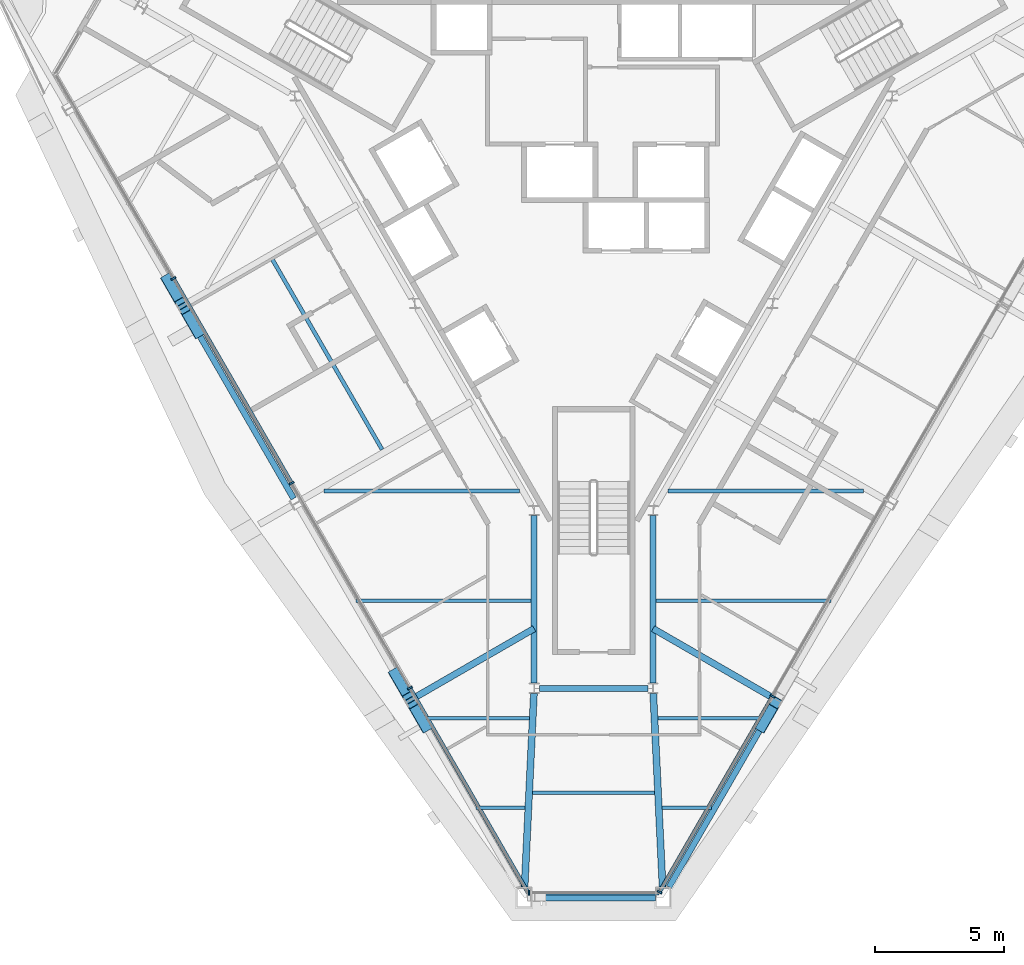
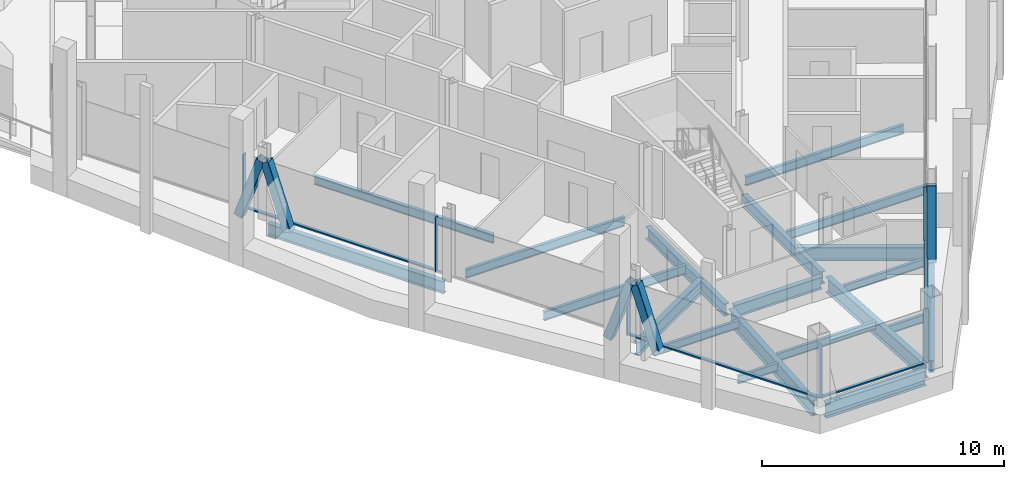
# One storey, part 3 of 14: 20 beams, 15 members, 3 elements without a shape of their own.
"""IFC4 building model written with IfcOpenShell, lengths in metres."""

from ifc_helpers import new_model, si_unit, direction, frame, origin, origin_2d, place, context, subcontext, project, spatial, rectangle, hollow_rectangle, i_section, extrude, material, material_profile, profile_set, type_object, element, aggregate, save


model = new_model("IFC4")

# Units and contexts
model_context = context("Model", 3, precision=1e-05, world=origin(), true_north=direction((0.0, 1.0)))
body_context = subcontext(model_context, "Body", "Model", "MODEL_VIEW")
ifc_project = project(units=[si_unit("LENGTHUNIT", "METRE"), si_unit("AREAUNIT", "SQUARE_METRE"), si_unit("VOLUMEUNIT", "CUBIC_METRE"), si_unit("PLANEANGLEUNIT", "RADIAN"), si_unit("MASSUNIT", "GRAM", prefix="KILO")], contexts=[model_context])

# Site, building, storey
site_placement = place(None, origin())
site = spatial("IfcSite", under=ifc_project, at=site_placement, CompositionType="ELEMENT")
building_placement = place(site_placement, origin())
building = spatial("IfcBuilding", under=site, at=building_placement, Name="Verrane Prism Tower", CompositionType="ELEMENT")
storey_placement = place(building_placement, frame((0.0, 0.0, 228.60009765625)))
storey = spatial("IfcBuildingStorey", under=building, at=storey_placement, Name="L57", CompositionType="ELEMENT", Elevation=228.60009765625)

# Beams
ifc_material_1 = material(Name="Steel A992", Category="steel")
ifc_material_profile_1 = material_profile(ifc_material_1, i_section(OverallWidth=0.2666015625, OverallDepth=0.7568359375, WebThickness=0.013916015625, FlangeThickness=0.019287109375, FilletRadius=0.0166015625, at=origin_2d()), Name="W30x108")
ifc_profile_set_1 = profile_set([ifc_material_profile_1], Name="Steel A992")
beam_type_1 = type_object("IfcBeamType", Name="Chamfer spandrel beam W30x108", PredefinedType="SPANDREL", material=ifc_profile_set_1)
beam_1_placement = place(storey_placement, frame((-2.389892578125, -26.989990234375, -0.53857421875), z_axis=(1.0, 0.0, 0.0), x_axis=(0.0, 1.0, 0.0)))
element("IfcBeam", 1, at=beam_1_placement, inside=storey, type_object=beam_type_1, Name="Chamfer spandrel beam L57", PredefinedType="SPANDREL", context=body_context, shape_type="SweptSolid", body=[
    extrude(i_section(OverallWidth=0.2666015625, OverallDepth=0.7568359375, WebThickness=0.013916015625, FlangeThickness=0.019287109375, FilletRadius=0.0166015625, at=origin_2d()), origin(), (0.0, 0.0, 1.0), 4.77978515625),
])
ifc_material_2 = material(Name="Steel A992", Category="steel")
ifc_material_profile_2 = material_profile(ifc_material_2, i_section(OverallWidth=0.23046875, OverallDepth=0.6171875, WebThickness=0.01318359375, FlangeThickness=0.022216796875, FilletRadius=0.012939453125, at=origin_2d()), Name="W24x94")
ifc_profile_set_2 = profile_set([ifc_material_profile_2], Name="Steel A992")
beam_type_2 = type_object("IfcBeamType", Name="Core ring girder W24x94", PredefinedType="BEAM", material=ifc_profile_set_2)
beam_2_placement = place(storey_placement, frame((-2.300048828125, -12.212890625, -0.55859375), z_axis=(0.0, -1.0, 0.0), x_axis=(1.0, 0.0, 0.0)))
element("IfcBeam", 2, at=beam_2_placement, inside=storey, type_object=beam_type_2, Name="Core ring girder L57", PredefinedType="BEAM", context=body_context, shape_type="SweptSolid", body=[
    extrude(i_section(OverallWidth=0.23046875, OverallDepth=0.6171875, WebThickness=0.01318359375, FlangeThickness=0.022216796875, FilletRadius=0.012939453125, at=origin_2d()), origin(), (0.0, 0.0, 1.0), 6.48779296875),
])
beam_3_placement = place(storey_placement, frame((-2.099365234375, -18.89990234375, -0.55859375), z_axis=(1.0, 0.0, 0.0), x_axis=(0.0, 1.0, 0.0)))
element("IfcBeam", 3, at=beam_3_placement, inside=storey, type_object=beam_type_2, Name="Core ring girder L57", PredefinedType="BEAM", context=body_context, shape_type="SweptSolid", body=[
    extrude(i_section(OverallWidth=0.23046875, OverallDepth=0.6171875, WebThickness=0.01318359375, FlangeThickness=0.022216796875, FilletRadius=0.012939453125, at=origin_2d()), origin(), (0.0, 0.0, 1.0), 4.19873046875),
])
beam_4_placement = place(storey_placement, frame((2.300048828125, -18.70068359375, -0.55859375), z_axis=(0.0, 1.0, 0.0), x_axis=(-1.0, 0.0, 0.0)))
element("IfcBeam", 4, at=beam_4_placement, inside=storey, type_object=beam_type_2, Name="Core ring girder L57", PredefinedType="BEAM", context=body_context, shape_type="SweptSolid", body=[
    extrude(i_section(OverallWidth=0.23046875, OverallDepth=0.6171875, WebThickness=0.01318359375, FlangeThickness=0.022216796875, FilletRadius=0.012939453125, at=origin_2d()), origin(), (0.0, 0.0, 1.0), 6.48779296875),
])
ifc_material_3 = material(Name="Steel A992", Category="steel")
ifc_material_profile_3 = material_profile(ifc_material_3, i_section(OverallWidth=0.2666015625, OverallDepth=0.76708984375, WebThickness=0.014892578125, FlangeThickness=0.023681640625, FilletRadius=0.0166015625, at=origin_2d()), Name="W30x124")
ifc_profile_set_3 = profile_set([ifc_material_profile_3], Name="Steel A992")
beam_type_3 = type_object("IfcBeamType", Name="Corner girder W30x124", PredefinedType="BEAM", material=ifc_profile_set_3)
for number, where, z_axis, x_axis, name in (
    (5, (-2.670654296875, -26.590087890625, -0.603515625), (0.048148251624, 0.998840200365, 0.0), (-0.998840200365, 0.048148251624, 0.0), "Corner girder L57"),
    (6, (2.670654296875, -26.590087890625, -0.603515625), (-0.048148251624, 0.998840200365, 0.0), (-0.998840200365, -0.048148251624, 0.0), "Corner girder L57"),
):
    element("IfcBeam", number, at=place(storey_placement, frame(where, z_axis=z_axis, x_axis=x_axis)), inside=storey, type_object=beam_type_3, Name=name, PredefinedType="BEAM", context=body_context, shape_type="SweptSolid", body=[
        extrude(i_section(OverallWidth=0.2666015625, OverallDepth=0.76708984375, WebThickness=0.014892578125, FlangeThickness=0.023681640625, FilletRadius=0.0166015625, at=origin_2d()), origin(), (0.0, 0.0, 1.0), 7.49951171875),
    ])

# Members
ifc_material_4 = material(Name="Steel A500 Grade C", Category="steel")
ifc_material_profile_4 = material_profile(ifc_material_4, hollow_rectangle(XDim=0.406494140625, YDim=0.406494140625, WallThickness=0.01904296875, InnerFilletRadius=0.009521484375, OuterFilletRadius=0.028564453125, at=origin_2d()), Name="HSS16x16x3/4")
ifc_profile_set_4 = profile_set([ifc_material_profile_4], Name="Steel A500 Grade C")
member_type_1 = type_object("IfcMemberType", Name="Facade brace HSS16x16x3/4", PredefinedType="BRACE", material=ifc_profile_set_4)
member_1_placement = place(storey_placement, frame((-16.4970703125, -3.084228515625, -0.216796875), z_axis=(0.161147026962, -0.278871641561, 0.946711277652), x_axis=(0.865836573738, 0.5003269207, 0.0)))
element("IfcMember", 7, at=member_1_placement, inside=storey, type_object=member_type_1, Name="Facade brace SW1 L57", PredefinedType="BRACE", context=body_context, shape_type="SweptSolid", body=[
    extrude(hollow_rectangle(XDim=0.406494140625, YDim=0.406494140625, WallThickness=0.01904296875, InnerFilletRadius=0.009521484375, OuterFilletRadius=0.028564453125, at=origin_2d()), origin(), (0.0, 0.0, 1.0), 3.32861328125),
])
member_2_placement = place(storey_placement, frame((-15.32421875, -5.11572265625, -0.216796875), z_axis=(-0.160861231008, 0.278884815454, 0.946756000281), x_axis=(-0.866231099009, -0.499643556057, 0.0)))
element("IfcMember", 8, at=member_2_placement, inside=storey, type_object=member_type_1, Name="Facade brace SW2 L57", PredefinedType="BRACE", context=body_context, shape_type="SweptSolid", body=[
    extrude(hollow_rectangle(XDim=0.406494140625, YDim=0.406494140625, WallThickness=0.01904296875, InnerFilletRadius=0.009521484375, OuterFilletRadius=0.028564453125, at=origin_2d()), origin(), (0.0, 0.0, 1.0), 3.328369140625),
])
for number, where, z_axis, x_axis, name in (
    (9, (-7.68701171875, -18.34423828125, -0.216796875), (0.161147026962, -0.278871641561, 0.946711277652), (0.865836573738, 0.5003269207, 0.0), "Facade brace SW3 L57"),
    (10, (-6.512939453125, -20.375732421875, -0.216796875), (-0.161147026962, 0.278871641561, 0.946711277652), (-0.865836573738, -0.5003269207, 0.0), "Facade brace SW4 L57"),
    (11, (6.512939453125, -20.375732421875, -0.216796875), (0.161147026962, 0.278871641561, 0.946711277652), (-0.865836573738, 0.5003269207, 0.0), "Facade brace SE0 L57"),
):
    element("IfcMember", number, at=place(storey_placement, frame(where, z_axis=z_axis, x_axis=x_axis)), inside=storey, type_object=member_type_1, Name=name, PredefinedType="BRACE", context=body_context, shape_type="SweptSolid", body=[
        extrude(hollow_rectangle(XDim=0.406494140625, YDim=0.406494140625, WallThickness=0.01904296875, InnerFilletRadius=0.009521484375, OuterFilletRadius=0.028564453125, at=origin_2d()), origin(), (0.0, 0.0, 1.0), 3.32861328125),
    ])

# Beams
ifc_material_5 = material(Name="Steel A992", Category="steel")
ifc_material_profile_5 = material_profile(ifc_material_5, i_section(OverallWidth=0.140380859375, OverallDepth=0.40380859375, WebThickness=0.007080078125, FlangeThickness=0.01123046875, FilletRadius=0.01025390625, at=origin_2d()), Name="W16x31")
ifc_profile_set_5 = profile_set([ifc_material_profile_5], Name="Steel A992")
beam_type_4 = type_object("IfcBeamType", Name="Floor beam W16x31", PredefinedType="BEAM", material=ifc_profile_set_5)
beam_5_placement = place(storey_placement, frame((-4.560791015625, -23.523193359375, -0.362060546875), z_axis=(1.0, 0.0, 0.0), x_axis=(0.0, 1.0, 0.0)))
element("IfcBeam", 12, at=beam_5_placement, inside=storey, type_object=beam_type_4, Name="Floor beam L57", PredefinedType="BEAM", context=body_context, shape_type="SweptSolid", body=[
    extrude(i_section(OverallWidth=0.140380859375, OverallDepth=0.40380859375, WebThickness=0.007080078125, FlangeThickness=0.01123046875, FilletRadius=0.01025390625, at=origin_2d()), origin(), (0.0, 0.0, 1.0), 1.904296875),
])
beam_6_placement = place(storey_placement, frame((-6.564453125, -20.056640625, -0.362060546875), z_axis=(1.0, 0.0, 0.0), x_axis=(0.0, 1.0, 0.0)))
element("IfcBeam", 13, at=beam_6_placement, inside=storey, type_object=beam_type_4, Name="Floor beam L57", PredefinedType="BEAM", context=body_context, shape_type="SweptSolid", body=[
    extrude(i_section(OverallWidth=0.140380859375, OverallDepth=0.40380859375, WebThickness=0.007080078125, FlangeThickness=0.01123046875, FilletRadius=0.01025390625, at=origin_2d()), origin(), (0.0, 0.0, 1.0), 4.074951171875),
])
beam_7_placement = place(storey_placement, frame((2.656494140625, -23.523193359375, -0.362060546875), z_axis=(1.0, 0.0, 0.0), x_axis=(0.0, 1.0, 0.0)))
element("IfcBeam", 14, at=beam_7_placement, inside=storey, type_object=beam_type_4, Name="Floor beam L57", PredefinedType="BEAM", context=body_context, shape_type="SweptSolid", body=[
    extrude(i_section(OverallWidth=0.140380859375, OverallDepth=0.40380859375, WebThickness=0.007080078125, FlangeThickness=0.01123046875, FilletRadius=0.01025390625, at=origin_2d()), origin(), (0.0, 0.0, 1.0), 1.904296875),
])
beam_8_placement = place(storey_placement, frame((2.489501953125, -20.056640625, -0.362060546875), z_axis=(1.0, 0.0, 0.0), x_axis=(0.0, 1.0, 0.0)))
element("IfcBeam", 15, at=beam_8_placement, inside=storey, type_object=beam_type_4, Name="Floor beam L57", PredefinedType="BEAM", context=body_context, shape_type="SweptSolid", body=[
    extrude(i_section(OverallWidth=0.140380859375, OverallDepth=0.40380859375, WebThickness=0.007080078125, FlangeThickness=0.01123046875, FilletRadius=0.01025390625, at=origin_2d()), origin(), (0.0, 0.0, 1.0), 4.074951171875),
])
beam_9_placement = place(storey_placement, frame((-2.361328125, -22.945068359375, -0.362060546875), z_axis=(1.0, 0.0, 0.0), x_axis=(0.0, 1.0, 0.0)))
element("IfcBeam", 16, at=beam_9_placement, inside=storey, type_object=beam_type_4, Name="Floor beam L57", PredefinedType="BEAM", context=body_context, shape_type="SweptSolid", body=[
    extrude(i_section(OverallWidth=0.140380859375, OverallDepth=0.40380859375, WebThickness=0.007080078125, FlangeThickness=0.01123046875, FilletRadius=0.01025390625, at=origin_2d()), origin(), (0.0, 0.0, 1.0), 4.72265625),
])
ifc_material_6 = material(Name="Steel A992", Category="steel")
ifc_material_profile_6 = material_profile(ifc_material_6, i_section(OverallWidth=0.15234375, OverallDepth=0.449462890625, WebThickness=0.007568359375, FlangeThickness=0.0107421875, FilletRadius=0.01025390625, at=origin_2d()), Name="W18x35")
ifc_profile_set_6 = profile_set([ifc_material_profile_6], Name="Steel A992")
beam_type_5 = type_object("IfcBeamType", Name="Floor beam W18x35", PredefinedType="BEAM", material=ifc_profile_set_6)
beam_10_placement = place(storey_placement, frame((-8.18359375, -9.659912109375, -0.385009765625), z_axis=(-0.500005905661, 0.866021994122, 0.0), x_axis=(-0.866021994122, -0.500005905661, 0.0)))
element("IfcBeam", 17, at=beam_10_placement, inside=storey, type_object=beam_type_5, Name="Floor beam L57", PredefinedType="BEAM", context=body_context, shape_type="SweptSolid", body=[
    extrude(i_section(OverallWidth=0.15234375, OverallDepth=0.449462890625, WebThickness=0.007568359375, FlangeThickness=0.0107421875, FilletRadius=0.01025390625, at=origin_2d()), origin(), (0.0, 0.0, 1.0), 8.54931640625),
])
beam_11_placement = place(storey_placement, frame((-9.1923828125, -15.510009765625, -0.385009765625), z_axis=(1.0, 0.0, 0.0), x_axis=(0.0, 1.0, 0.0)))
element("IfcBeam", 18, at=beam_11_placement, inside=storey, type_object=beam_type_5, Name="Floor beam L57", PredefinedType="BEAM", context=body_context, shape_type="SweptSolid", body=[
    extrude(i_section(OverallWidth=0.15234375, OverallDepth=0.449462890625, WebThickness=0.007568359375, FlangeThickness=0.0107421875, FilletRadius=0.01025390625, at=origin_2d()), origin(), (0.0, 0.0, 1.0), 6.77734375),
])
beam_12_placement = place(storey_placement, frame((-10.443115234375, -11.260009765625, -0.385009765625), z_axis=(1.0, 0.0, 0.0), x_axis=(0.0, 1.0, 0.0)))
element("IfcBeam", 19, at=beam_12_placement, inside=storey, type_object=beam_type_5, Name="Floor beam L57", PredefinedType="BEAM", context=body_context, shape_type="SweptSolid", body=[
    extrude(i_section(OverallWidth=0.15234375, OverallDepth=0.449462890625, WebThickness=0.007568359375, FlangeThickness=0.0107421875, FilletRadius=0.01025390625, at=origin_2d()), origin(), (0.0, 0.0, 1.0), 7.571533203125),
])
beam_13_placement = place(storey_placement, frame((2.4150390625, -15.510009765625, -0.385009765625), z_axis=(1.0, 0.0, 0.0), x_axis=(0.0, 1.0, 0.0)))
element("IfcBeam", 20, at=beam_13_placement, inside=storey, type_object=beam_type_5, Name="Floor beam L57", PredefinedType="BEAM", context=body_context, shape_type="SweptSolid", body=[
    extrude(i_section(OverallWidth=0.15234375, OverallDepth=0.449462890625, WebThickness=0.007568359375, FlangeThickness=0.0107421875, FilletRadius=0.01025390625, at=origin_2d()), origin(), (0.0, 0.0, 1.0), 6.77734375),
])
beam_14_placement = place(storey_placement, frame((2.87158203125, -11.260009765625, -0.385009765625), z_axis=(1.0, 0.0, 0.0), x_axis=(0.0, 1.0, 0.0)))
element("IfcBeam", 21, at=beam_14_placement, inside=storey, type_object=beam_type_5, Name="Floor beam L57", PredefinedType="BEAM", context=body_context, shape_type="SweptSolid", body=[
    extrude(i_section(OverallWidth=0.15234375, OverallDepth=0.449462890625, WebThickness=0.007568359375, FlangeThickness=0.0107421875, FilletRadius=0.01025390625, at=origin_2d()), origin(), (0.0, 0.0, 1.0), 7.571533203125),
])

# Curtain wall, members
ifc_material_7 = material(Name="Aluminium framed insulated glazing", Category="aluminium")
curtain_wall_type = type_object("IfcCurtainWallType", Name="Curtain wall CW-A 8400 module", PredefinedType="NOTDEFINED", material=ifc_material_7)
curtain_wall_1_placement = place(storey_placement, origin())
curtain_wall_1 = element("IfcCurtainWall", 22, at=curtain_wall_1_placement, inside=storey, type_object=curtain_wall_type, Name="Glazed curtain wall south-west face L57", PredefinedType="NOTDEFINED")
ifc_material_8 = material(Name="Aluminium alloy 6063-T6", Category="aluminium")
ifc_material_profile_7 = material_profile(ifc_material_8, rectangle(XDim=0.199951171875, YDim=0.070068359375, at=origin_2d()), Name="Mullion 70x200 aluminium")
ifc_profile_set_7 = profile_set([ifc_material_profile_7], Name="Aluminium alloy 6063-T6")
member_type_2 = type_object("IfcMemberType", Name="Mullion 70x200 aluminium", PredefinedType="MULLION", material=ifc_profile_set_7)
member_3_placement = place(storey_placement, frame((-16.2626953125, -3.035888671875, 0.0), z_axis=(0.0, 0.0, 1.0), x_axis=(0.866025288872, 0.500000199034, 0.0)))
member_3 = element("IfcMember", 23, at=member_3_placement, type_object=member_type_2, Name="CW57.4 mullion 2", PredefinedType="MULLION", context=body_context, shape_type="SweptSolid", body=[
    extrude(rectangle(XDim=0.199951171875, YDim=0.070068359375, at=origin_2d()), origin(), (0.0, 0.0, 1.0), 2.712890625),
])
member_4_placement = place(storey_placement, frame((-11.686279296875, -10.962158203125, 0.0), z_axis=(0.0, 0.0, 1.0), x_axis=(0.866025288872, 0.500000199034, 0.0)))
member_4 = element("IfcMember", 24, at=member_4_placement, type_object=member_type_2, Name="CW57.4 mullion 3", PredefinedType="MULLION", context=body_context, shape_type="SweptSolid", body=[
    extrude(rectangle(XDim=0.199951171875, YDim=0.070068359375, at=origin_2d()), origin(), (0.0, 0.0, 1.0), 2.712890625),
])
member_5_placement = place(storey_placement, frame((-7.110107421875, -18.888427734375, 0.0), z_axis=(0.0, 0.0, 1.0), x_axis=(0.866025288872, 0.500000199034, 0.0)))
member_5 = element("IfcMember", 25, at=member_5_placement, type_object=member_type_2, Name="CW57.4 mullion 4", PredefinedType="MULLION", context=body_context, shape_type="SweptSolid", body=[
    extrude(rectangle(XDim=0.199951171875, YDim=0.070068359375, at=origin_2d()), origin(), (0.0, 0.0, 1.0), 2.712890625),
])

# Curtain wall, member
curtain_wall_2_placement = place(storey_placement, origin())
curtain_wall_2 = element("IfcCurtainWall", 26, at=curtain_wall_2_placement, inside=storey, type_object=curtain_wall_type, Name="Glazed curtain wall south corner L57", PredefinedType="NOTDEFINED")
member_6_placement = place(storey_placement, frame((-2.498779296875, -26.814697265625, 0.0), z_axis=(0.0, 0.0, 1.0), x_axis=(0.0, 1.0, 0.0)))
member_6 = element("IfcMember", 27, at=member_6_placement, type_object=member_type_2, Name="CW57.5 mullion 1", PredefinedType="MULLION", context=body_context, shape_type="SweptSolid", body=[
    extrude(rectangle(XDim=0.199951171875, YDim=0.070068359375, at=origin_2d()), origin(), (0.0, 0.0, 1.0), 2.712890625),
])

# Curtain wall, members
curtain_wall_3_placement = place(storey_placement, origin())
curtain_wall_3 = element("IfcCurtainWall", 28, at=curtain_wall_3_placement, inside=storey, type_object=curtain_wall_type, Name="Glazed curtain wall south-east face L57", PredefinedType="NOTDEFINED")
member_7_placement = place(storey_placement, frame((2.551513671875, -26.784423828125, 0.0), z_axis=(0.0, 0.0, 1.0), x_axis=(-0.866024862365, 0.500000937764, 0.0)))
member_7 = element("IfcMember", 29, at=member_7_placement, type_object=member_type_2, Name="CW57.6 mullion 1", PredefinedType="MULLION", context=body_context, shape_type="SweptSolid", body=[
    extrude(rectangle(XDim=0.199951171875, YDim=0.070068359375, at=origin_2d()), origin(), (0.0, 0.0, 1.0), 2.712890625),
])
member_8_placement = place(storey_placement, frame((6.925048828125, -19.209228515625, 0.0), z_axis=(0.0, 0.0, 1.0), x_axis=(-0.866024862365, 0.500000937764, 0.0)))
member_8 = element("IfcMember", 30, at=member_8_placement, type_object=member_type_2, Name="CW57.6 mullion 2", PredefinedType="MULLION", context=body_context, shape_type="SweptSolid", body=[
    extrude(rectangle(XDim=0.199951171875, YDim=0.070068359375, at=origin_2d()), origin(), (0.0, 0.0, 1.0), 2.712890625),
])

# Beams
ifc_material_9 = material(Name="Steel A992", Category="steel")
ifc_material_profile_8 = material_profile(ifc_material_9, i_section(OverallWidth=0.25390625, OverallDepth=0.683349609375, WebThickness=0.012451171875, FlangeThickness=0.01904296875, FilletRadius=0.01513671875, at=origin_2d()), Name="W27x94")
ifc_profile_set_8 = profile_set([ifc_material_profile_8], Name="Steel A992")
beam_type_6 = type_object("IfcBeamType", Name="Radial girder W27x94", PredefinedType="BEAM", material=ifc_profile_set_8)
for number, where, z_axis, x_axis, name in (
    (31, (-6.92724609375, -19.26025390625, -0.561767578125), (0.866015899669, 0.50001646125, 0.0), (-0.50001646125, 0.866015899669, 0.0), "Radial girder L57"),
    (32, (6.92724609375, -19.26025390625, -0.561767578125), (-0.866015899669, 0.50001646125, 0.0), (-0.50001646125, -0.866015899669, 0.0), "Radial girder L57"),
):
    element("IfcBeam", number, at=place(storey_placement, frame(where, z_axis=z_axis, x_axis=x_axis)), inside=storey, type_object=beam_type_6, Name=name, PredefinedType="BEAM", context=body_context, shape_type="SweptSolid", body=[
        extrude(i_section(OverallWidth=0.25390625, OverallDepth=0.683349609375, WebThickness=0.012451171875, FlangeThickness=0.01904296875, FilletRadius=0.01513671875, at=origin_2d()), origin(), (0.0, 0.0, 1.0), 5.343017578125),
    ])
ifc_material_10 = material(Name="Steel A992", Category="steel")
ifc_material_profile_9 = material_profile(ifc_material_10, i_section(OverallWidth=0.23046875, OverallDepth=0.6171875, WebThickness=0.01318359375, FlangeThickness=0.022216796875, FilletRadius=0.012939453125, at=origin_2d()), Name="W24x94")
ifc_profile_set_9 = profile_set([ifc_material_profile_9], Name="Steel A992")
beam_type_7 = type_object("IfcBeamType", Name="Spandrel beam W24x94", PredefinedType="SPANDREL", material=ifc_profile_set_9)
beam_15_placement = place(storey_placement, frame((-15.809814453125, -4.273681640625, -0.46875), z_axis=(0.499569084189, -0.866274050242, 0.0), x_axis=(0.866274050242, 0.499569084189, 0.0)))
element("IfcBeam", 33, at=beam_15_placement, inside=storey, type_object=beam_type_7, Name="Spandrel beam L57", PredefinedType="SPANDREL", context=body_context, shape_type="SweptSolid", body=[
    extrude(i_section(OverallWidth=0.23046875, OverallDepth=0.6171875, WebThickness=0.01318359375, FlangeThickness=0.022216796875, FilletRadius=0.012939453125, at=origin_2d()), origin(), (0.0, 0.0, 1.0), 8.40673828125),
])
beam_16_placement = place(storey_placement, frame((2.921142578125, -26.590087890625, -0.46875), z_axis=(0.500400862537, 0.865793841958, 0.0), x_axis=(-0.865793841958, 0.500400862537, 0.0)))
element("IfcBeam", 34, at=beam_16_placement, inside=storey, type_object=beam_type_7, Name="Spandrel beam L57", PredefinedType="SPANDREL", context=body_context, shape_type="SweptSolid", body=[
    extrude(i_section(OverallWidth=0.23046875, OverallDepth=0.6171875, WebThickness=0.01318359375, FlangeThickness=0.022216796875, FilletRadius=0.012939453125, at=origin_2d()), origin(), (0.0, 0.0, 1.0), 8.150146484375),
])

# Member
ifc_material_11 = material(Name="Aluminium alloy 6063-T6", Category="aluminium")
ifc_material_profile_10 = material_profile(ifc_material_11, rectangle(XDim=0.14990234375, YDim=0.070068359375, at=origin_2d()), Name="Transom 70x150 aluminium")
ifc_profile_set_10 = profile_set([ifc_material_profile_10], Name="Aluminium alloy 6063-T6")
member_type_3 = type_object("IfcMemberType", Name="Transom 70x150 aluminium", PredefinedType="USERDEFINED", material=ifc_profile_set_10)
member_9_placement = place(storey_placement, frame((-16.2451171875, -3.066162109375, 0.034912109375), z_axis=(0.499998569178, -0.866026229868, 0.0), x_axis=(0.866026229868, 0.499998569178, 0.0)))
member_9 = element("IfcMember", 35, at=member_9_placement, type_object=member_type_3, Name="CW57.4 transom 2", ObjectType="TRANSOM", PredefinedType="USERDEFINED", context=body_context, shape_type="SweptSolid", body=[
    extrude(rectangle(XDim=0.14990234375, YDim=0.070068359375, at=origin_2d()), origin(), (0.0, 0.0, 1.0), 9.08251953125),
])

member_10_placement = place(storey_placement, frame((-7.092529296875, -18.918701171875, 0.034912109375), z_axis=(0.49998669683, -0.866033084237, 0.0), x_axis=(0.866033084237, 0.49998669683, 0.0)))
member_10 = element("IfcMember", 36, at=member_10_placement, type_object=member_type_3, Name="CW57.4 transom 4", ObjectType="TRANSOM", PredefinedType="USERDEFINED", context=body_context, shape_type="SweptSolid", body=[
    extrude(rectangle(XDim=0.14990234375, YDim=0.070068359375, at=origin_2d()), origin(), (0.0, 0.0, 1.0), 9.117431640625),
])

aggregate(curtain_wall_1, [member_3, member_4, member_5, member_9, member_10])

member_11_placement = place(storey_placement, frame((-2.4638671875, -26.814697265625, 0.034912109375), z_axis=(1.0, 0.0, 0.0), x_axis=(0.0, 1.0, 0.0)))
member_11 = element("IfcMember", 37, at=member_11_placement, type_object=member_type_3, Name="CW57.5 transom 1", ObjectType="TRANSOM", PredefinedType="USERDEFINED", context=body_context, shape_type="SweptSolid", body=[
    extrude(rectangle(XDim=0.14990234375, YDim=0.070068359375, at=origin_2d()), origin(), (0.0, 0.0, 1.0), 4.997802734375),
])

aggregate(curtain_wall_2, [member_6, member_11])

member_12_placement = place(storey_placement, frame((2.56884765625, -26.754150390625, 0.034912109375), z_axis=(0.500003349176, 0.866023470128, 0.0), x_axis=(-0.866023470128, 0.500003349176, 0.0)))
member_12 = element("IfcMember", 38, at=member_12_placement, type_object=member_type_3, Name="CW57.6 transom 1", ObjectType="TRANSOM", PredefinedType="USERDEFINED", context=body_context, shape_type="SweptSolid", body=[
    extrude(rectangle(XDim=0.14990234375, YDim=0.070068359375, at=origin_2d()), origin(), (0.0, 0.0, 1.0), 8.67724609375),
])

aggregate(curtain_wall_3, [member_7, member_8, member_12])

save(model, "model.ifc")
